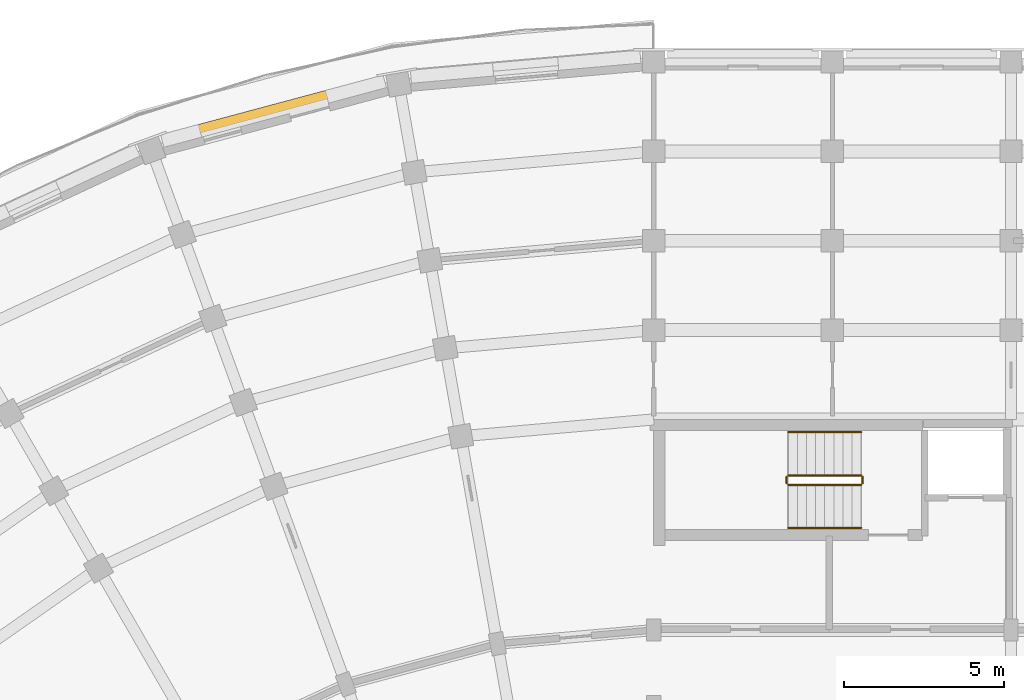
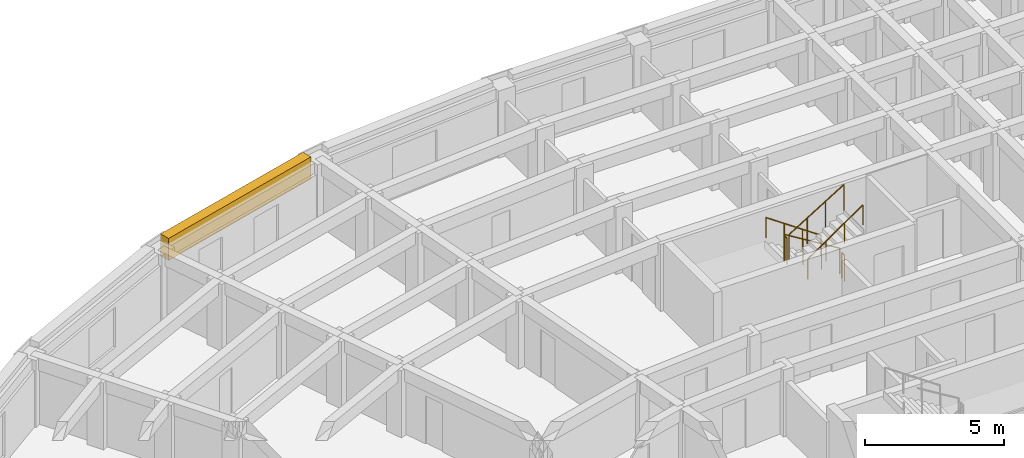
# One storey, part 50 of 57: 6 railings, 1 covering.
"""IFC4 building model written with IfcOpenShell, lengths in metres."""

from ifc_helpers import new_model, si_unit, direction, frame, origin, origin_2d, place, context, subcontext, project, spatial, polyline, circle, outline, extrude, material, layer, layer_set, type_object, element, save


model = new_model("IFC4")

# Units and contexts
model_context = context("Model", 3, precision=1e-05, world=origin(), true_north=direction((0.0, 1.0)))
body_context = subcontext(model_context, "Body", "Model", "MODEL_VIEW")
ifc_project = project(units=[si_unit("LENGTHUNIT", "METRE"), si_unit("AREAUNIT", "SQUARE_METRE"), si_unit("VOLUMEUNIT", "CUBIC_METRE"), si_unit("PLANEANGLEUNIT", "RADIAN"), si_unit("MASSUNIT", "GRAM", prefix="KILO")], contexts=[model_context])

# Site, building, storey
site_placement = place(None, origin())
site = spatial("IfcSite", under=ifc_project, at=site_placement, CompositionType="ELEMENT")
building_placement = place(site_placement, origin())
building = spatial("IfcBuilding", under=site, at=building_placement, Name="Kiranvali Square Residences", CompositionType="ELEMENT")
storey_placement = place(building_placement, frame((0.0, 0.0, 21.300048828125)))
storey = spatial("IfcBuildingStorey", under=building, at=storey_placement, Name="L06", CompositionType="ELEMENT", Elevation=21.300048828125)

# Covering
ifc_material_1 = material(Name="Honed Porbandar limestone ashlar facade cladding", Category="masonry")
ifc_layer = layer(ifc_material_1, 0.360107421875)
ifc_layer_set = layer_set([ifc_layer], Name="Honed Porbandar limestone ashlar facade cladding")
covering_type = type_object("IfcCoveringType", Name="COV-CLAD-WALL", PredefinedType="CLADDING", material=ifc_layer_set)
covering_placement = place(storey_placement, frame((0.0, 0.0, 2.179931640625)))
element("IfcCovering", 1, at=covering_placement, inside=storey, type_object=covering_type, Name="L06 light limestone spandrel lintel A-L06-CRV-01", PredefinedType="CLADDING", context=body_context, shape_type="SweptSolid", body=[
    extrude(outline(polyline([(39.7197265625, 133.3935546875), (32.747314453125, 131.525390625), (32.853271484375, 131.1298828125), (39.82568359375, 132.998046875), (39.7197265625, 133.3935546875)])), origin(), (0.0, 0.0, 1.0), 0.965087890625),
])

# Railings
ifc_material_2 = material(Name="Brushed stainless steel tubular handrail", Category="steel")
railing_type_1 = type_object("IfcRailingType", Name="RL-HANDRAIL-900", PredefinedType="HANDRAIL", material=ifc_material_2)
railing_1_placement = place(storey_placement, frame((54.699951171875, 122.199951171875, 0.175048828125)))
element("IfcRailing", 2, at=railing_1_placement, inside=storey, type_object=railing_type_1, Name="L06 ST-A1 stair handrail 1", PredefinedType="HANDRAIL", context=body_context, shape_type="SweptSolid", body=[
    extrude(circle(Radius=0.02392578125, at=origin_2d()), frame((0.0, 0.0, 0.8759765625), z_axis=(-0.82278801735, 0.0, 0.568348377763), x_axis=(0.0, -1.0, 0.0)), (0.0, 0.0, 1.0), 2.77099609375),
    extrude(circle(Radius=0.02099609375, at=origin_2d()), origin(), (0.0, 0.0, 1.0), 0.851806640625),
    extrude(circle(Radius=0.02099609375, at=origin_2d()), frame((-0.760009765625, 0.0, 0.52490234375)), (0.0, 0.0, 1.0), 0.851806640625),
    extrude(circle(Radius=0.02099609375, at=origin_2d()), frame((-1.52001953125, 0.0, 1.050048828125)), (0.0, 0.0, 1.0), 0.851806640625),
    extrude(circle(Radius=0.02099609375, at=origin_2d()), frame((-2.280029296875, 0.0, 1.574951171875)), (0.0, 0.0, 1.0), 0.851806640625),
])
railing_2_placement = place(storey_placement, frame((52.419921875, 119.199951171875, 1.75)))
element("IfcRailing", 3, at=railing_2_placement, inside=storey, type_object=railing_type_1, Name="L06 ST-A1 stair handrail 2", PredefinedType="HANDRAIL", context=body_context, shape_type="SweptSolid", body=[
    extrude(circle(Radius=0.02392578125, at=origin_2d()), frame((0.0, 0.0, 0.8759765625), z_axis=(0.82278801735, 0.0, 0.568348377763), x_axis=(0.0, 1.0, 0.0)), (0.0, 0.0, 1.0), 2.77099609375),
    extrude(circle(Radius=0.02099609375, at=origin_2d()), origin(), (0.0, 0.0, 1.0), 0.851806640625),
    extrude(circle(Radius=0.02099609375, at=origin_2d()), frame((0.760009765625, 0.0, 0.52490234375)), (0.0, 0.0, 1.0), 0.851806640625),
    extrude(circle(Radius=0.02099609375, at=origin_2d()), frame((1.52001953125, 0.0, 1.050048828125)), (0.0, 0.0, 1.0), 0.851806640625),
    extrude(circle(Radius=0.02099609375, at=origin_2d()), frame((2.280029296875, 0.0, 1.574951171875)), (0.0, 0.0, 1.0), 0.851806640625),
])
ifc_material_3 = material(Name="Powder-coated architectural bronze balustrade", Category="steel")
railing_type_2 = type_object("IfcRailingType", Name="RL-ST-GUARD-1200", PredefinedType="GUARDRAIL", material=ifc_material_3)
railing_3_placement = place(storey_placement, frame((54.699951171875, 120.85009765625, 0.175048828125)))
element("IfcRailing", 4, at=railing_3_placement, inside=storey, type_object=railing_type_2, Name="L06 ST-A1 stair guard 1", PredefinedType="GUARDRAIL", context=body_context, shape_type="SweptSolid", body=[
    extrude(circle(Radius=0.02392578125, at=origin_2d()), frame((0.0, 0.0, 1.1259765625), z_axis=(-0.852190499154, 0.0, 0.523231643875), x_axis=(0.0, -1.0, 0.0)), (0.0, 0.0, 1.0), 2.675537109375),
    extrude(circle(Radius=0.02099609375, at=origin_2d()), origin(), (0.0, 0.0, 1.0), 1.101806640625),
    extrude(circle(Radius=0.02099609375, at=origin_2d()), frame((-0.760009765625, 0.0, 0.466552734375)), (0.0, 0.0, 1.0), 1.101806640625),
    extrude(circle(Radius=0.02099609375, at=origin_2d()), frame((-1.52001953125, 0.0, 0.933349609375)), (0.0, 0.0, 1.0), 1.101806640625),
    extrude(circle(Radius=0.02099609375, at=origin_2d()), frame((-2.280029296875, 0.0, 1.39990234375)), (0.0, 0.0, 1.0), 1.101806640625),
])
railing_4_placement = place(storey_placement, frame((52.3701171875, 120.800048828125, 1.574951171875)))
element("IfcRailing", 5, at=railing_4_placement, inside=storey, type_object=railing_type_2, Name="L06 ST-A1 stair guard 2", PredefinedType="GUARDRAIL", context=body_context, shape_type="SweptSolid", body=[
    extrude(circle(Radius=0.02392578125, at=origin_2d()), frame((0.0, 0.0, 1.1259765625), z_axis=(0.0, -1.0, 0.0), x_axis=(1.0, 0.0, 0.0)), (0.0, 0.0, 1.0), 0.199951171875),
    extrude(circle(Radius=0.02099609375, at=origin_2d()), origin(), (0.0, 0.0, 1.0), 1.101806640625),
    extrude(circle(Radius=0.02099609375, at=origin_2d()), frame((0.0, -0.199951171875, 0.0)), (0.0, 0.0, 1.0), 1.101806640625),
])
railing_5_placement = place(storey_placement, frame((52.419921875, 120.550048828125, 1.75)))
element("IfcRailing", 6, at=railing_5_placement, inside=storey, type_object=railing_type_2, Name="L06 ST-A1 stair guard 3", PredefinedType="GUARDRAIL", context=body_context, shape_type="SweptSolid", body=[
    extrude(circle(Radius=0.02392578125, at=origin_2d()), frame((0.0, 0.0, 1.1259765625), z_axis=(0.852190499154, 0.0, 0.523231643875), x_axis=(0.0, 1.0, 0.0)), (0.0, 0.0, 1.0), 2.675537109375),
    extrude(circle(Radius=0.02099609375, at=origin_2d()), origin(), (0.0, 0.0, 1.0), 1.101806640625),
    extrude(circle(Radius=0.02099609375, at=origin_2d()), frame((0.760009765625, 0.0, 0.466552734375)), (0.0, 0.0, 1.0), 1.101806640625),
    extrude(circle(Radius=0.02099609375, at=origin_2d()), frame((1.52001953125, 0.0, 0.933349609375)), (0.0, 0.0, 1.0), 1.101806640625),
    extrude(circle(Radius=0.02099609375, at=origin_2d()), frame((2.280029296875, 0.0, 1.39990234375)), (0.0, 0.0, 1.0), 1.101806640625),
])
railing_6_placement = place(storey_placement, frame((54.75, 120.800048828125, 0.0)))
element("IfcRailing", 7, at=railing_6_placement, inside=storey, type_object=railing_type_2, Name="L06 ST-A1 stair guard 4", PredefinedType="GUARDRAIL", context=body_context, shape_type="SweptSolid", body=[
    extrude(circle(Radius=0.02392578125, at=origin_2d()), frame((0.0, 0.0, 1.1259765625), z_axis=(0.0, -1.0, 0.0), x_axis=(1.0, 0.0, 0.0)), (0.0, 0.0, 1.0), 0.199951171875),
    extrude(circle(Radius=0.02099609375, at=origin_2d()), origin(), (0.0, 0.0, 1.0), 1.101806640625),
    extrude(circle(Radius=0.02099609375, at=origin_2d()), frame((0.0, -0.199951171875, 0.0)), (0.0, 0.0, 1.0), 1.101806640625),
])

save(model, "model.ifc")
